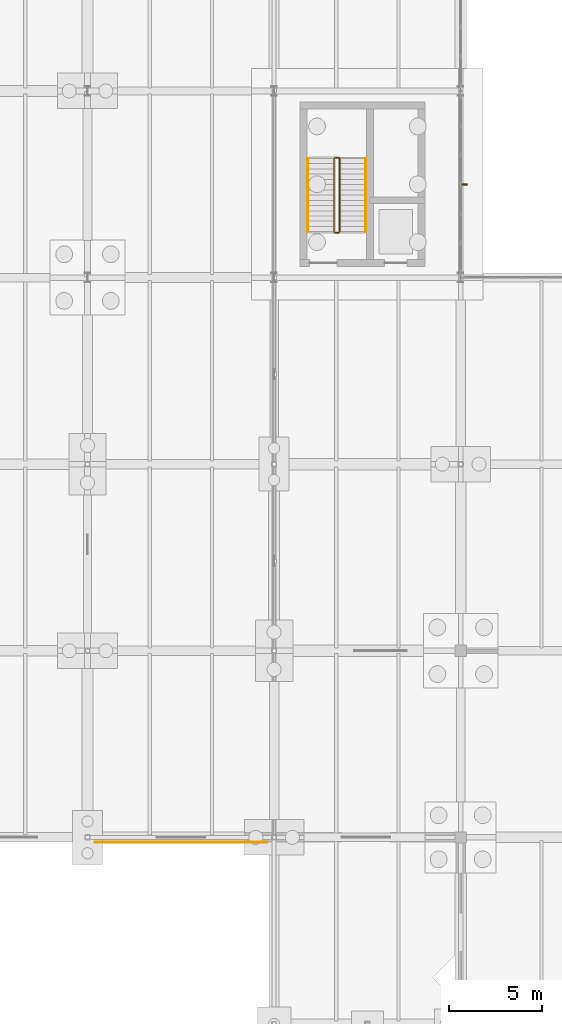
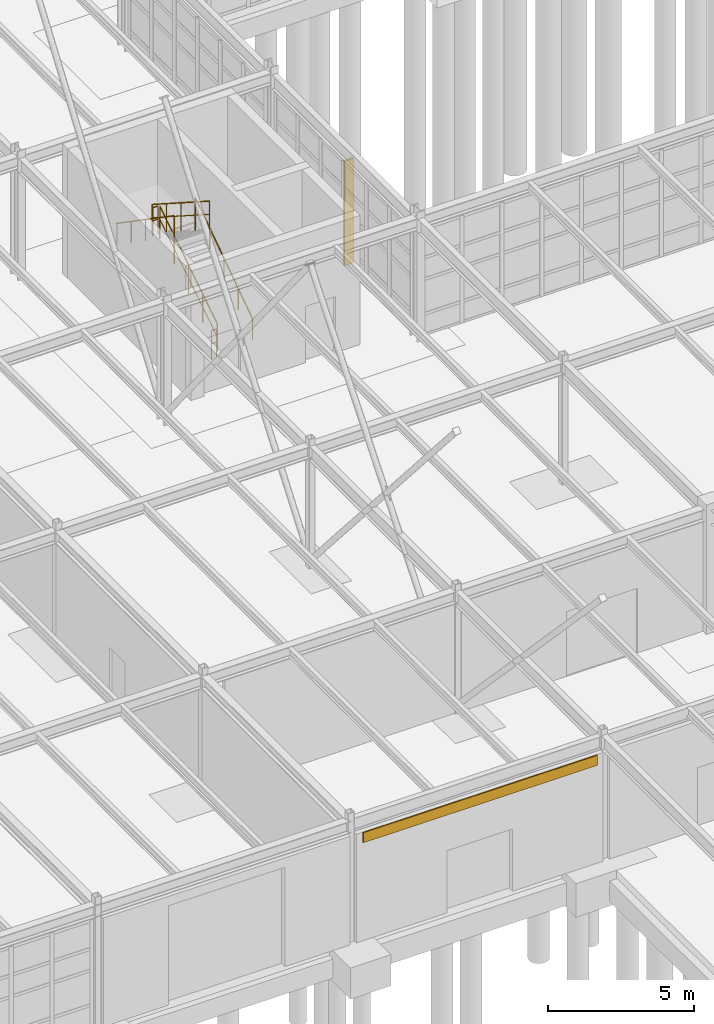
# One storey, part 134 of 145: 6 railings, 1 covering, 1 shading device.
"""IFC4 building model written with IfcOpenShell, lengths in metres."""

from ifc_helpers import new_model, si_unit, direction, frame, origin, origin_2d, place, context, subcontext, project, spatial, polyline, rectangle, circle, outline, extrude, material, layer, layer_set, type_object, element, save


model = new_model("IFC4")

# Units and contexts
model_context = context("Model", 3, precision=1e-05, world=origin(), true_north=direction((0.0, 1.0)))
body_context = subcontext(model_context, "Body", "Model", "MODEL_VIEW")
ifc_project = project(units=[si_unit("LENGTHUNIT", "METRE"), si_unit("AREAUNIT", "SQUARE_METRE"), si_unit("VOLUMEUNIT", "CUBIC_METRE"), si_unit("PLANEANGLEUNIT", "RADIAN"), si_unit("MASSUNIT", "GRAM", prefix="KILO"), si_unit("THERMODYNAMICTEMPERATUREUNIT", "KELVIN"), si_unit("POWERUNIT", "WATT")], contexts=[model_context])

# Site, building, storey
site_placement = place(None, origin())
site = spatial("IfcSite", under=ifc_project, at=site_placement, CompositionType="ELEMENT")
building_placement = place(site_placement, origin())
building = spatial("IfcBuilding", under=site, at=building_placement, Name="Korenveer Ferry Terminal", CompositionType="ELEMENT")
storey_placement = place(building_placement, origin())
storey = spatial("IfcBuildingStorey", under=building, at=storey_placement, Name="L00", CompositionType="ELEMENT", Elevation=0.0)

# Covering
ifc_material_1 = material(Name="Carved Belgian bluestone spandrel cladding", Category="masonry")
ifc_layer = layer(ifc_material_1, 0.050048828125)
ifc_layer_set = layer_set([ifc_layer], Name="Carved Belgian bluestone spandrel cladding")
covering_type = type_object("IfcCoveringType", Name="ENV-COV-STONE", PredefinedType="CLADDING", material=ifc_layer_set)
covering_placement = place(storey_placement, frame((0.0, 0.0, 4.1201171875)))
element("IfcCovering", 1, at=covering_placement, inside=storey, type_object=covering_type, Name="Belgian bluestone spandrel band 5", PredefinedType="CLADDING", context=body_context, shape_type="SweptSolid", body=[
    extrude(outline(polyline([(103.375, 19.705078125), (112.625, 19.705078125), (112.625, 19.7548828125), (103.375, 19.7548828125), (103.375, 19.705078125)])), origin(), (0.0, 0.0, 1.0), 0.419921875),
])

# Shading device
ifc_material_2 = material(Name="Anodised bronze aluminium solar fin", Category="aluminium")
shading_device_type = type_object("IfcShadingDeviceType", Name="ENV-SHD-FIN", PredefinedType="JALOUSIE", material=ifc_material_2)
shading_device_placement = place(storey_placement, frame((123.159912109375, 55.0, -0.02001953125), z_axis=(0.0, 0.0, 1.0), x_axis=(1.0, 0.0, 0.0)))
element("IfcShadingDevice", 2, at=shading_device_placement, inside=storey, type_object=shading_device_type, Name="Gothic solar fin 12", PredefinedType="JALOUSIE", context=body_context, shape_type="SweptSolid", body=[
    extrude(rectangle(XDim=0.360107421875, YDim=0.080078125, at=origin_2d()), origin(), (0.0, 0.0, 1.0), 4.3701171875),
])

# Railings
ifc_material_3 = material(Name="Brushed stainless steel handrail", Category="steel")
railing_type_1 = type_object("IfcRailingType", Name="INT-RL-HND90", PredefinedType="HANDRAIL", material=ifc_material_3)
railing_1_placement = place(storey_placement, frame((117.909912109375, 52.4599609375, 0.179931640625)))
element("IfcRailing", 3, at=railing_1_placement, inside=storey, type_object=railing_type_1, Name="L00 ST06 stair handrail 1", PredefinedType="HANDRAIL", context=body_context, shape_type="SweptSolid", body=[
    extrude(circle(Radius=0.02392578125, at=origin_2d()), frame((0.0, 0.0, 0.8759765625), z_axis=(0.0, 0.823550731654, 0.567242622158), x_axis=(-1.0, 0.0, 0.0)), (0.0, 0.0, 1.0), 4.759765625),
    extrude(circle(Radius=0.02099609375, at=origin_2d()), origin(), (0.0, 0.0, 1.0), 0.851806640625),
    extrude(circle(Radius=0.02099609375, at=origin_2d()), frame((0.0, 0.97998046875, 0.675048828125)), (0.0, 0.0, 1.0), 0.851806640625),
    extrude(circle(Radius=0.02099609375, at=origin_2d()), frame((0.0, 1.9599609375, 1.35009765625)), (0.0, 0.0, 1.0), 0.851806640625),
    extrude(circle(Radius=0.02099609375, at=origin_2d()), frame((0.0, 2.93994140625, 2.02490234375)), (0.0, 0.0, 1.0), 0.851806640625),
    extrude(circle(Radius=0.02099609375, at=origin_2d()), frame((0.0, 3.919921875, 2.699951171875)), (0.0, 0.0, 1.0), 0.851806640625),
])
railing_2_placement = place(storey_placement, frame((114.81005859375, 56.3798828125, 2.8798828125)))
element("IfcRailing", 4, at=railing_2_placement, inside=storey, type_object=railing_type_1, Name="L00 ST06 stair handrail 2", PredefinedType="HANDRAIL", context=body_context, shape_type="SweptSolid", body=[
    extrude(circle(Radius=0.02392578125, at=origin_2d()), frame((0.0, 0.0, 0.8759765625), z_axis=(0.0, -0.823526770215, 0.56727740898), x_axis=(1.0, 0.0, 0.0)), (0.0, 0.0, 1.0), 4.760009765625),
    extrude(circle(Radius=0.02099609375, at=origin_2d()), origin(), (0.0, 0.0, 1.0), 0.851806640625),
    extrude(circle(Radius=0.02099609375, at=origin_2d()), frame((0.0, -0.97998046875, 0.675048828125)), (0.0, 0.0, 1.0), 0.851806640625),
    extrude(circle(Radius=0.02099609375, at=origin_2d()), frame((0.0, -1.9599609375, 1.35009765625)), (0.0, 0.0, 1.0), 0.851806640625),
    extrude(circle(Radius=0.02099609375, at=origin_2d()), frame((0.0, -2.93994140625, 2.025146484375)), (0.0, 0.0, 1.0), 0.851806640625),
    extrude(circle(Radius=0.02099609375, at=origin_2d()), frame((0.0, -3.919921875, 2.7001953125)), (0.0, 0.0, 1.0), 0.851806640625),
])
ifc_material_4 = material(Name="Painted steel stair guard", Category="steel")
railing_type_2 = type_object("IfcRailingType", Name="INT-RL-STGRD", PredefinedType="GUARDRAIL", material=ifc_material_4)
railing_3_placement = place(storey_placement, frame((116.510009765625, 52.4599609375, 0.179931640625)))
element("IfcRailing", 5, at=railing_3_placement, inside=storey, type_object=railing_type_2, Name="L00 ST06 stair guard 1", PredefinedType="GUARDRAIL", context=body_context, shape_type="SweptSolid", body=[
    extrude(circle(Radius=0.02392578125, at=origin_2d()), frame((0.0, 0.0, 1.17578125), z_axis=(0.0, 0.841171666519, 0.540768182723), x_axis=(-1.0, 0.0, 0.0)), (0.0, 0.0, 1.0), 4.66015625),
    extrude(circle(Radius=0.01806640625, at=origin_2d()), frame((0.0, 0.0, 0.6240234375), z_axis=(0.0, 0.841171666519, 0.540768182723), x_axis=(-1.0, 0.0, 0.0)), (0.0, 0.0, 1.0), 4.66015625),
    extrude(circle(Radius=0.02099609375, at=origin_2d()), origin(), (0.0, 0.0, 1.0), 1.15185546875),
    extrude(circle(Radius=0.02099609375, at=origin_2d()), frame((0.0, 0.97998046875, 0.6298828125)), (0.0, 0.0, 1.0), 1.15185546875),
    extrude(circle(Radius=0.02099609375, at=origin_2d()), frame((0.0, 1.9599609375, 1.260009765625)), (0.0, 0.0, 1.0), 1.15185546875),
    extrude(circle(Radius=0.02099609375, at=origin_2d()), frame((0.0, 2.93994140625, 1.89013671875)), (0.0, 0.0, 1.0), 1.15185546875),
    extrude(circle(Radius=0.02099609375, at=origin_2d()), frame((0.0, 3.919921875, 2.52001953125)), (0.0, 0.0, 1.0), 1.15185546875),
])
railing_4_placement = place(storey_placement, frame((116.4599609375, 56.429931640625, 2.699951171875)))
element("IfcRailing", 6, at=railing_4_placement, inside=storey, type_object=railing_type_2, Name="L00 ST06 stair guard 2", PredefinedType="GUARDRAIL", context=body_context, shape_type="SweptSolid", body=[
    extrude(circle(Radius=0.02392578125, at=origin_2d()), frame((0.0, 0.0, 1.17578125), z_axis=(-1.0, 0.0, 0.0), x_axis=(0.0, -1.0, 0.0)), (0.0, 0.0, 1.0), 0.199951171875),
    extrude(circle(Radius=0.01806640625, at=origin_2d()), frame((0.0, 0.0, 0.6240234375), z_axis=(-1.0, 0.0, 0.0), x_axis=(0.0, -1.0, 0.0)), (0.0, 0.0, 1.0), 0.199951171875),
    extrude(circle(Radius=0.02099609375, at=origin_2d()), origin(), (0.0, 0.0, 1.0), 1.15185546875),
    extrude(circle(Radius=0.02099609375, at=origin_2d()), frame((-0.199951171875, 0.0, 0.0)), (0.0, 0.0, 1.0), 1.15185546875),
])
railing_5_placement = place(storey_placement, frame((116.2099609375, 56.3798828125, 2.8798828125)))
element("IfcRailing", 7, at=railing_5_placement, inside=storey, type_object=railing_type_2, Name="L00 ST06 stair guard 3", PredefinedType="GUARDRAIL", context=body_context, shape_type="SweptSolid", body=[
    extrude(circle(Radius=0.02392578125, at=origin_2d()), frame((0.0, 0.0, 1.17578125), z_axis=(0.0, -0.841171666519, 0.540768182723), x_axis=(1.0, 0.0, 0.0)), (0.0, 0.0, 1.0), 4.66015625),
    extrude(circle(Radius=0.01806640625, at=origin_2d()), frame((0.0, 0.0, 0.6240234375), z_axis=(0.0, -0.841171666519, 0.540768182723), x_axis=(1.0, 0.0, 0.0)), (0.0, 0.0, 1.0), 4.66015625),
    extrude(circle(Radius=0.02099609375, at=origin_2d()), origin(), (0.0, 0.0, 1.0), 1.15185546875),
    extrude(circle(Radius=0.02099609375, at=origin_2d()), frame((0.0, -0.97998046875, 0.6298828125)), (0.0, 0.0, 1.0), 1.15185546875),
    extrude(circle(Radius=0.02099609375, at=origin_2d()), frame((0.0, -1.9599609375, 1.260009765625)), (0.0, 0.0, 1.0), 1.15185546875),
    extrude(circle(Radius=0.02099609375, at=origin_2d()), frame((0.0, -2.93994140625, 1.89013671875)), (0.0, 0.0, 1.0), 1.15185546875),
    extrude(circle(Radius=0.02099609375, at=origin_2d()), frame((0.0, -3.919921875, 2.52001953125)), (0.0, 0.0, 1.0), 1.15185546875),
])
railing_6_placement = place(storey_placement, frame((116.4599609375, 52.409912109375, 0.0)))
element("IfcRailing", 8, at=railing_6_placement, inside=storey, type_object=railing_type_2, Name="L00 ST06 stair guard 4", PredefinedType="GUARDRAIL", context=body_context, shape_type="SweptSolid", body=[
    extrude(circle(Radius=0.02392578125, at=origin_2d()), frame((0.0, 0.0, 1.17578125), z_axis=(-1.0, 0.0, 0.0), x_axis=(0.0, -1.0, 0.0)), (0.0, 0.0, 1.0), 0.199951171875),
    extrude(circle(Radius=0.01806640625, at=origin_2d()), frame((0.0, 0.0, 0.6240234375), z_axis=(-1.0, 0.0, 0.0), x_axis=(0.0, -1.0, 0.0)), (0.0, 0.0, 1.0), 0.199951171875),
    extrude(circle(Radius=0.02099609375, at=origin_2d()), origin(), (0.0, 0.0, 1.0), 1.15185546875),
    extrude(circle(Radius=0.02099609375, at=origin_2d()), frame((-0.199951171875, 0.0, 0.0)), (0.0, 0.0, 1.0), 1.15185546875),
])

save(model, "model.ifc")
